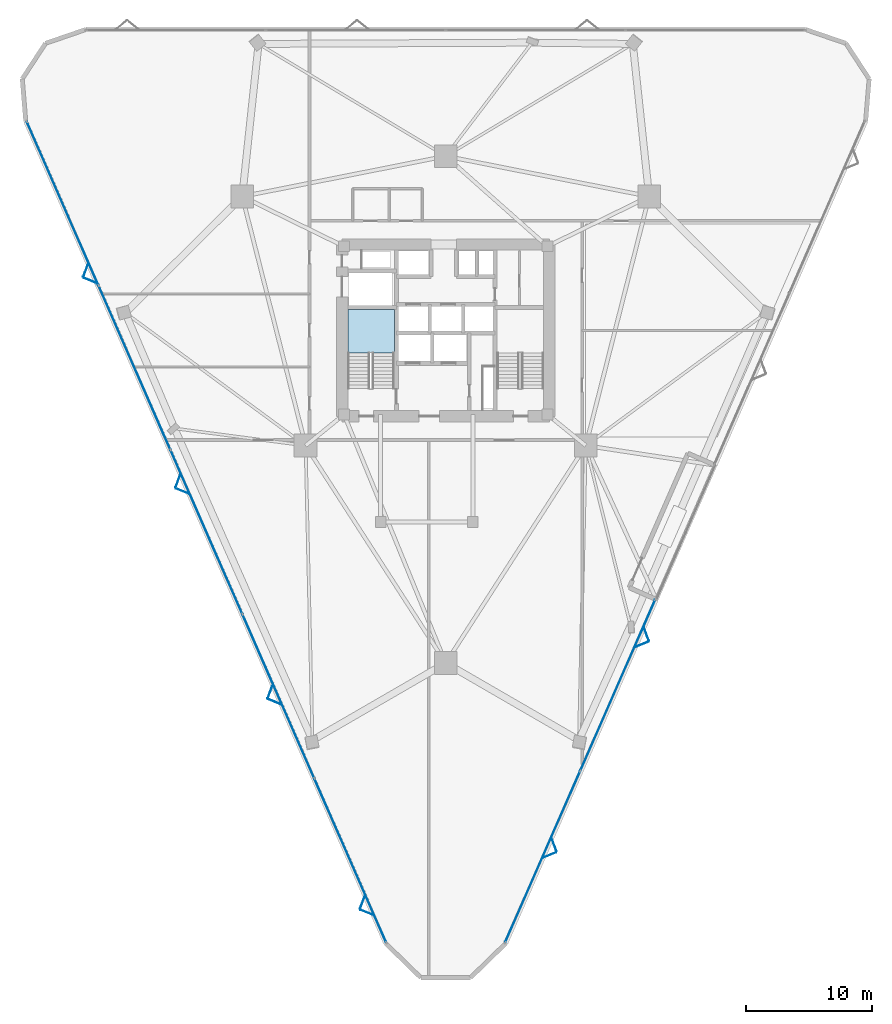
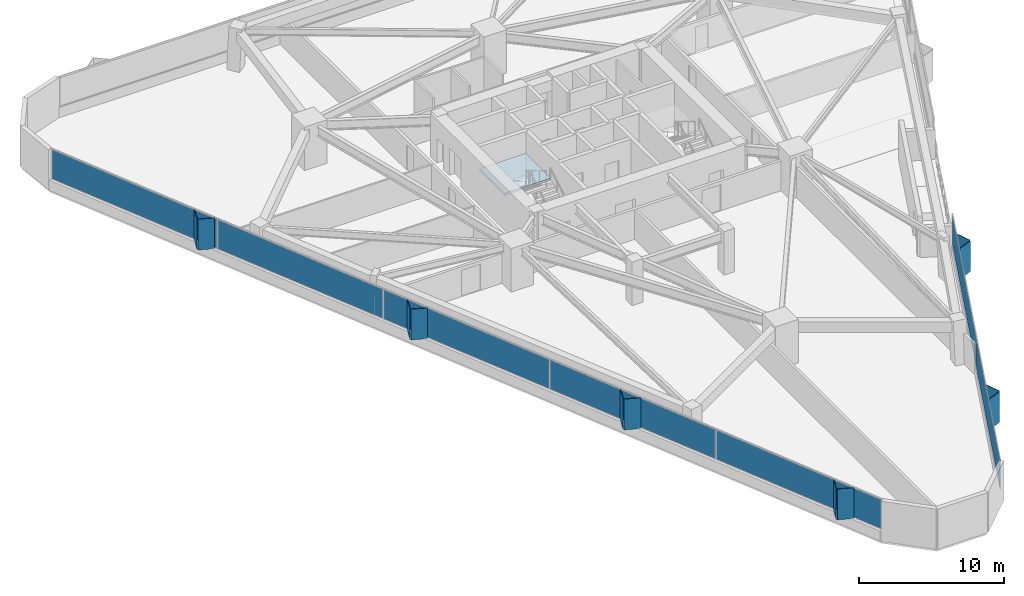
# One storey, part 9 of 16: 19 plates, 1 slab, 3 elements without a shape of their own.
"""IFC4 building model written with IfcOpenShell, lengths in metres."""

from ifc_helpers import new_model, si_unit, direction, frame, origin, origin_2d, place, context, subcontext, project, spatial, polyline, rectangle, outline, extrude, material, layer, layer_set, type_object, element, aggregate, save


model = new_model("IFC4")

# Units and contexts
model_context = context("Model", 3, precision=1e-05, world=origin(), true_north=direction((0.0, 1.0)))
body_context = subcontext(model_context, "Body", "Model", "MODEL_VIEW")
ifc_project = project(units=[si_unit("LENGTHUNIT", "METRE"), si_unit("AREAUNIT", "SQUARE_METRE"), si_unit("VOLUMEUNIT", "CUBIC_METRE"), si_unit("PLANEANGLEUNIT", "RADIAN"), si_unit("MASSUNIT", "GRAM", prefix="KILO")], contexts=[model_context])

# Site, building, storey
site_placement = place(None, origin())
site = spatial("IfcSite", under=ifc_project, at=site_placement, CompositionType="ELEMENT")
building_placement = place(site_placement, origin())
building = spatial("IfcBuilding", under=site, at=building_placement, Name="Talyreon Biosciences Tower", CompositionType="ELEMENT")
storey_placement = place(building_placement, frame((0.0, 0.0, 44.699951171875)))
storey = spatial("IfcBuildingStorey", under=building, at=storey_placement, Name="L11", CompositionType="ELEMENT", Elevation=44.699951171875)

# Curtain wall, plates
ifc_material_1 = material(Name="Thermally broken aluminium and low-E glazing", Category="aluminium")
ifc_layer_1 = layer(ifc_material_1, 0.205078125)
ifc_layer_set_1 = layer_set([ifc_layer_1], Name="Thermally broken aluminium and low-E glazing")
curtain_wall_type = type_object("IfcCurtainWallType", Name="CurtainWall_SkyGardenLoggia", PredefinedType="NOTDEFINED", material=ifc_layer_set_1)
curtain_wall_1_placement = place(storey_placement, origin())
curtain_wall_1 = element("IfcCurtainWall", 1, at=curtain_wall_1_placement, inside=storey, type_object=curtain_wall_type, Name="L11 Unitised Curtain Wall FCW-L11-11", PredefinedType="NOTDEFINED")
ifc_material_2 = material(Name="Acoustic laminated low-E insulated glazing", Category="glass")
ifc_layer_2 = layer(ifc_material_2, 0.0380859375)
ifc_layer_set_2 = layer_set([ifc_layer_2], Name="Acoustic laminated low-E insulated glazing")
plate_type_1 = type_object("IfcPlateType", Name="CWGlazingPanel_38", PredefinedType="CURTAIN_PANEL", material=ifc_layer_set_2)
plate_1_placement = place(storey_placement, frame((79.6181640625, 39.912109375, 0.875), z_axis=(0.0, 0.0, 1.0), x_axis=(-0.401096974143, -0.916035598289, 0.0)))
plate_1 = element("IfcPlate", 2, at=plate_1_placement, type_object=plate_type_1, Name="CW7 panel 1.1", PredefinedType="CURTAIN_PANEL", context=body_context, shape_type="SweptSolid", body=[
    extrude(rectangle(XDim=14.7392578125, YDim=0.0380859375, at=origin_2d()), origin(), (0.0, 0.0, 1.0), 2.43505859375),
])
plate_2_placement = place(storey_placement, frame((73.676025390625, 26.341796875, 0.875), z_axis=(0.0, 0.0, 1.0), x_axis=(-0.401096974143, -0.916035598289, 0.0)))
plate_2 = element("IfcPlate", 3, at=plate_2_placement, type_object=plate_type_1, Name="CW7 panel 2.1", PredefinedType="CURTAIN_PANEL", context=body_context, shape_type="SweptSolid", body=[
    extrude(rectangle(XDim=14.7392578125, YDim=0.0380859375, at=origin_2d()), origin(), (0.0, 0.0, 1.0), 2.43505859375),
])
aggregate(curtain_wall_1, [plate_1, plate_2])

curtain_wall_2_placement = place(storey_placement, origin())
curtain_wall_2 = element("IfcCurtainWall", 4, at=curtain_wall_2_placement, inside=storey, type_object=curtain_wall_type, Name="L11 Unitised Curtain Wall FCW-L11-15", PredefinedType="NOTDEFINED")
plate_3_placement = place(storey_placement, frame((58.454345703125, 26.0439453125, 0.875), z_axis=(0.0, 0.0, 1.0), x_axis=(-0.40109726429, 0.916035471245, 0.0)))
plate_3 = element("IfcPlate", 5, at=plate_3_placement, type_object=plate_type_1, Name="CW7 panel 1.1", PredefinedType="CURTAIN_PANEL", context=body_context, shape_type="SweptSolid", body=[
    extrude(rectangle(XDim=14.0888671875, YDim=0.0380859375, at=origin_2d()), origin(), (0.0, 0.0, 1.0), 2.43505859375),
])
plate_4_placement = place(storey_placement, frame((52.765625, 39.03564453125, 0.875), z_axis=(0.0, 0.0, 1.0), x_axis=(-0.40109726429, 0.916035471245, 0.0)))
plate_4 = element("IfcPlate", 6, at=plate_4_placement, type_object=plate_type_1, Name="CW7 panel 2.1", PredefinedType="CURTAIN_PANEL", context=body_context, shape_type="SweptSolid", body=[
    extrude(rectangle(XDim=14.12646484375, YDim=0.0380859375, at=origin_2d()), origin(), (0.0, 0.0, 1.0), 2.43505859375),
])
plate_5_placement = place(storey_placement, frame((47.069580078125, 52.044677734375, 0.875), z_axis=(0.0, 0.0, 1.0), x_axis=(-0.40109726429, 0.916035471245, 0.0)))
plate_5 = element("IfcPlate", 7, at=plate_5_placement, type_object=plate_type_1, Name="CW7 panel 3.1", PredefinedType="CURTAIN_PANEL", context=body_context, shape_type="SweptSolid", body=[
    extrude(rectangle(XDim=14.12646484375, YDim=0.0380859375, at=origin_2d()), origin(), (0.0, 0.0, 1.0), 2.43505859375),
])
plate_6_placement = place(storey_placement, frame((41.373291015625, 65.0537109375, 0.875), z_axis=(0.0, 0.0, 1.0), x_axis=(-0.40109726429, 0.916035471245, 0.0)))
plate_6 = element("IfcPlate", 8, at=plate_6_placement, type_object=plate_type_1, Name="CW7 panel 4.1", PredefinedType="CURTAIN_PANEL", context=body_context, shape_type="SweptSolid", body=[
    extrude(rectangle(XDim=14.12646484375, YDim=0.0380859375, at=origin_2d()), origin(), (0.0, 0.0, 1.0), 2.43505859375),
])
plate_7_placement = place(storey_placement, frame((35.684814453125, 78.04541015625, 0.875), z_axis=(0.0, 0.0, 1.0), x_axis=(-0.40109726429, 0.916035471245, 0.0)))
plate_7 = element("IfcPlate", 9, at=plate_7_placement, type_object=plate_type_1, Name="CW7 panel 5.1", PredefinedType="CURTAIN_PANEL", context=body_context, shape_type="SweptSolid", body=[
    extrude(rectangle(XDim=14.0888671875, YDim=0.0380859375, at=origin_2d()), origin(), (0.0, 0.0, 1.0), 2.43505859375),
])
aggregate(curtain_wall_2, [plate_3, plate_4, plate_5, plate_6, plate_7])

# Plates
ifc_material_3 = material(Name="Ivory GFRC sunshade panel", Category="concrete")
ifc_layer_3 = layer(ifc_material_3, 0.044921875)
ifc_layer_set_3 = layer_set([ifc_layer_3], Name="Ivory GFRC sunshade panel")
plate_type_2 = type_object("IfcPlateType", Name="FoldedVSunshade_SunFace_SUNSHADE", PredefinedType="USERDEFINED", material=ifc_layer_set_3)
for number, where, z_axis, x_axis, name in (
    (10, (81.876220703125, 43.971923828125, 0.7900390625), (0.0, 0.0, 1.0), (0.347803073264, -0.937567609417, 0.0), "L11 Folded V-Sunshade Panel 11.01L"),
    (11, (81.51513671875, 43.147705078125, 0.7900390625), (0.0, 0.0, 1.0), (-0.924858316353, -0.380311838723, 0.0), "L11 Folded V-Sunshade Panel 11.01R"),
    (12, (74.576171875, 27.300048828125, 0.7900390625), (0.0, 0.0, 1.0), (0.347803073264, -0.937567609417, 0.0), "L11 Folded V-Sunshade Panel 11.02L"),
    (13, (74.215087890625, 26.4755859375, 0.7900390625), (0.0, 0.0, 1.0), (-0.924858316353, -0.380311838723, 0.0), "L11 Folded V-Sunshade Panel 11.02R"),
    (14, (59.775634765625, 21.928955078125, 0.7900390625), (0.0, 0.0, 1.0), (-0.924858316353, 0.380311838723, 0.0), "L11 Folded V-Sunshade Panel 15.01L"),
    (15, (59.414794921875, 22.75341796875, 0.7900390625), (0.0, 0.0, 1.0), (0.347803073264, 0.937567609417, 0.0), "L11 Folded V-Sunshade Panel 15.01R"),
    (16, (52.475830078125, 38.600830078125, 0.7900390625), (0.0, 0.0, 1.0), (-0.924858316353, 0.380311838723, 0.0), "L11 Folded V-Sunshade Panel 15.02L"),
    (17, (52.11474609375, 39.42529296875, 0.7900390625), (0.0, 0.0, 1.0), (0.347803073264, 0.937567609417, 0.0), "L11 Folded V-Sunshade Panel 15.02R"),
    (18, (45.17578125, 55.272705078125, 0.7900390625), (0.0, 0.0, 1.0), (-0.924858316353, 0.380311838723, 0.0), "L11 Folded V-Sunshade Panel 15.03L"),
    (19, (44.814697265625, 56.096923828125, 0.7900390625), (0.0, 0.0, 1.0), (0.347803073264, 0.937567609417, 0.0), "L11 Folded V-Sunshade Panel 15.03R"),
    (20, (37.875732421875, 71.944580078125, 0.7900390625), (0.0, 0.0, 1.0), (-0.924858316353, 0.380311838723, 0.0), "L11 Folded V-Sunshade Panel 15.04L"),
    (21, (37.514892578125, 72.768798828125, 0.7900390625), (0.0, 0.0, 1.0), (0.347803073264, 0.937567609417, 0.0), "L11 Folded V-Sunshade Panel 15.04R"),
):
    element("IfcPlate", number, at=place(storey_placement, frame(where, z_axis=z_axis, x_axis=x_axis)), inside=storey, type_object=plate_type_2, Name=name, ObjectType="SUNSHADE", PredefinedType="USERDEFINED", context=body_context, shape_type="SweptSolid", body=[
        extrude(rectangle(XDim=1.14990234375, YDim=0.044921875, at=origin_2d()), origin(), (0.0, 0.0, 1.0), 2.5849609375),
    ])

# Stair, slab
ifc_material_4 = material(Name="Concrete C40/50", Category="concrete")
stair_type = type_object("IfcStairType", Name="DoglegEscapeStair_3650", PredefinedType="HALF_TURN_STAIR", material=ifc_material_4)
stair_placement = place(storey_placement, origin())
stair = element("IfcStair", 22, at=stair_placement, inside=storey, type_object=stair_type, Name="L11 Core Escape Stair 1", PredefinedType="HALF_TURN_STAIR")
ifc_layer_4 = layer(ifc_material_4, 0.199951171875)
ifc_layer_set_4 = layer_set([ifc_layer_4], Name="Concrete C40/50")
slab_type = type_object("IfcSlabType", Name="StairLandingSlab_200", PredefinedType="LANDING", material=ifc_layer_set_4)
slab_placement = place(storey_placement, frame((0.0, 0.0, 1.625)))
slab = element("IfcSlab", 23, at=slab_placement, type_object=slab_type, Name="ST-1 landing 1", PredefinedType="LANDING", context=body_context, shape_type="SweptSolid", body=[
    extrude(outline(polyline([(61.929931640625, 66.199951171875), (61.929931640625, 69.64990234375), (58.25, 69.64990234375), (58.25, 66.199951171875), (61.929931640625, 66.199951171875)])), origin(), (0.0, 0.0, 1.0), 0.199951171875),
])
aggregate(stair, [slab])

save(model, "model.ifc")
